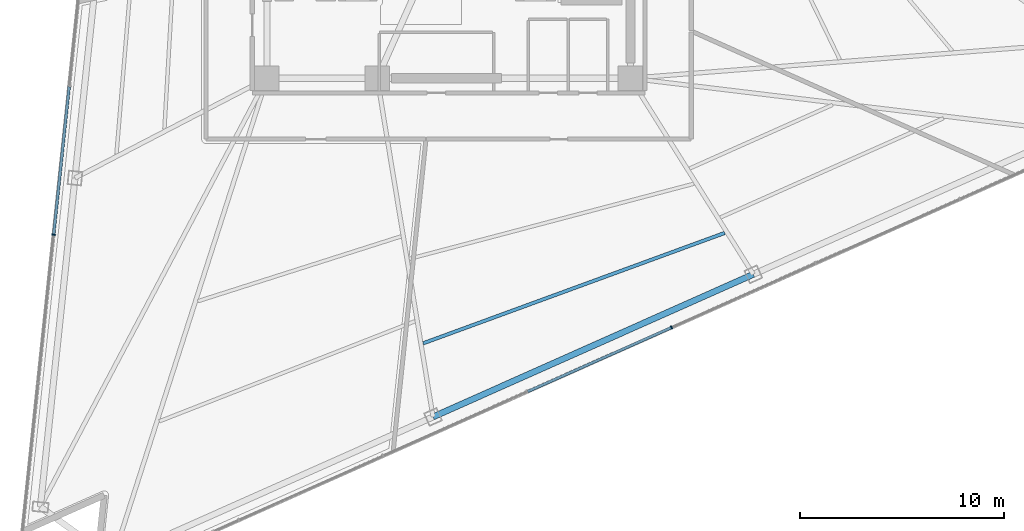
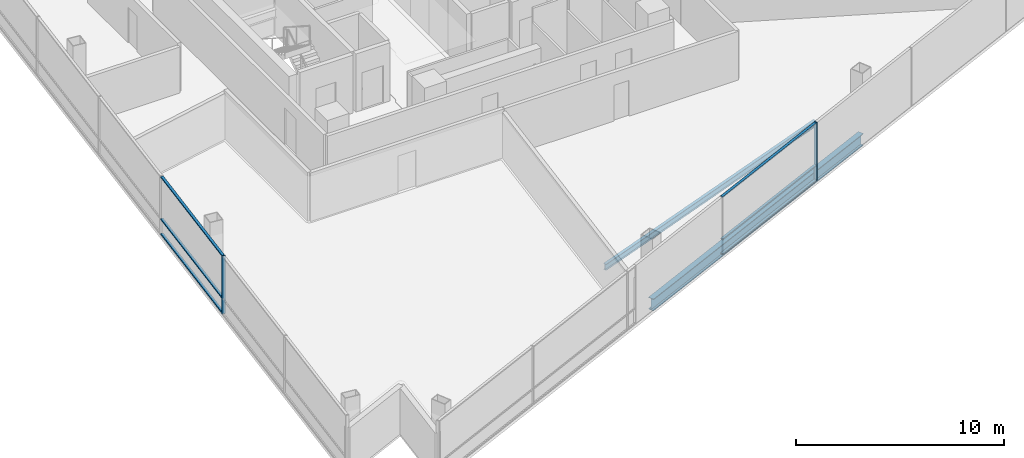
# One storey, part 3 of 16: 8 members, 2 beams, 2 elements without a shape of their own.
"""IFC4 building model written with IfcOpenShell, lengths in metres."""

from ifc_helpers import new_model, si_unit, direction, frame, origin, origin_2d, place, context, subcontext, project, spatial, rectangle, i_section, extrude, material, layer, layer_set, material_profile, profile_set, type_object, element, aggregate, save


model = new_model("IFC4")

# Units and contexts
model_context = context("Model", 3, precision=1e-05, world=origin(), true_north=direction((0.0, 1.0)))
body_context = subcontext(model_context, "Body", "Model", "MODEL_VIEW")
ifc_project = project(units=[si_unit("LENGTHUNIT", "METRE"), si_unit("AREAUNIT", "SQUARE_METRE"), si_unit("VOLUMEUNIT", "CUBIC_METRE"), si_unit("PLANEANGLEUNIT", "RADIAN"), si_unit("MASSUNIT", "GRAM", prefix="KILO")], contexts=[model_context])

# Site, building, storey
site_placement = place(None, origin())
site = spatial("IfcSite", under=ifc_project, at=site_placement, CompositionType="ELEMENT")
building_placement = place(site_placement, origin())
building = spatial("IfcBuilding", under=site, at=building_placement, Name="Tharavind Bronze Gate", CompositionType="ELEMENT")
storey_placement = place(building_placement, frame((0.0, 0.0, 130.449951171875)))
storey = spatial("IfcBuildingStorey", under=building, at=storey_placement, Name="L33", CompositionType="ELEMENT", Elevation=130.449951171875)

# Curtain wall, member
ifc_material_1 = material(Name="Anodised Bronze Aluminium", Category="aluminium")
ifc_layer = layer(ifc_material_1, 0.219970703125)
ifc_layer_set = layer_set([ifc_layer], Name="Anodised Bronze Aluminium")
curtain_wall_type = type_object("IfcCurtainWallType", Name="UNITISED CURTAIN WALL LOWER OFFICE", PredefinedType="USERDEFINED", material=ifc_layer_set)
curtain_wall_1_placement = place(storey_placement, origin())
curtain_wall_1 = element("IfcCurtainWall", 1, at=curtain_wall_1_placement, inside=storey, type_object=curtain_wall_type, Name="L33 unitised curtain wall lower office CW-L33-S1", ObjectType="UNITISED CURTAIN WALL", PredefinedType="USERDEFINED")
member_type_1 = type_object("IfcMemberType", Name="CURTAIN WALL BRONZE MULLION 65X180", PredefinedType="MULLION", material=ifc_material_1)
member_1_placement = place(storey_placement, frame((-19.349853515625, -15.2646484375, 0.0), z_axis=(0.0, 0.0, 1.0), x_axis=(-0.104526727499, -0.994522077803, 0.0)))
member_1 = element("IfcMember", 2, at=member_1_placement, type_object=member_type_1, Name="CW-L33-S1 mullion 6", PredefinedType="MULLION", context=body_context, shape_type="SweptSolid", body=[
    extrude(rectangle(XDim=0.06494140625, YDim=0.179931640625, at=origin_2d()), origin(), (0.0, 0.0, 1.0), 3.409912109375),
])

curtain_wall_2_placement = place(storey_placement, origin())
curtain_wall_2 = element("IfcCurtainWall", 3, at=curtain_wall_2_placement, inside=storey, type_object=curtain_wall_type, Name="L33 unitised curtain wall lower office CW-L33-S2", ObjectType="UNITISED CURTAIN WALL", PredefinedType="USERDEFINED")
member_2_placement = place(storey_placement, frame((10.913330078125, -19.80859375, 0.0), z_axis=(0.0, 0.0, 1.0), x_axis=(0.913545457643, 0.406736643076, 0.0)))
member_2 = element("IfcMember", 4, at=member_2_placement, type_object=member_type_1, Name="CW-L33-S2 mullion 5", PredefinedType="MULLION", context=body_context, shape_type="SweptSolid", body=[
    extrude(rectangle(XDim=0.06494140625, YDim=0.179931640625, at=origin_2d()), origin(), (0.0, 0.0, 1.0), 3.409912109375),
])

# Member
member_type_2 = type_object("IfcMemberType", Name="CURTAIN WALL BRONZE TRANSOM 65X140", PredefinedType="USERDEFINED", material=ifc_material_1)
member_3_placement = place(storey_placement, frame((-18.967529296875, -11.628173828125, 0.0), z_axis=(0.0, 0.0, 1.0), x_axis=(-0.104526727499, -0.994522077803, 0.0)))
member_3 = element("IfcMember", 5, at=member_3_placement, type_object=member_type_2, Name="CW-L33-S1 transom TB5", ObjectType="TRANSOM", PredefinedType="USERDEFINED", context=body_context, shape_type="SweptSolid", body=[
    extrude(rectangle(XDim=7.26025390625, YDim=0.139892578125, at=origin_2d()), origin(), (0.0, 0.0, 1.0), 0.06494140625),
])

member_4_placement = place(storey_placement, frame((-18.967529296875, -11.628173828125, 0.86767578125), z_axis=(0.0, 0.0, 1.0), x_axis=(-0.104526727499, -0.994522077803, 0.0)))
member_4 = element("IfcMember", 6, at=member_4_placement, type_object=member_type_2, Name="CW-L33-S1 transom TS5", ObjectType="TRANSOM", PredefinedType="USERDEFINED", context=body_context, shape_type="SweptSolid", body=[
    extrude(rectangle(XDim=7.26025390625, YDim=0.139892578125, at=origin_2d()), origin(), (0.0, 0.0, 1.0), 0.06494140625),
])

member_5_placement = place(storey_placement, frame((-18.967529296875, -11.628173828125, 3.344970703125), z_axis=(0.0, 0.0, 1.0), x_axis=(-0.104526727499, -0.994522077803, 0.0)))
member_5 = element("IfcMember", 7, at=member_5_placement, type_object=member_type_2, Name="CW-L33-S1 transom TT5", ObjectType="TRANSOM", PredefinedType="USERDEFINED", context=body_context, shape_type="SweptSolid", body=[
    extrude(rectangle(XDim=7.26025390625, YDim=0.139892578125, at=origin_2d()), origin(), (0.0, 0.0, 1.0), 0.06494140625),
])

aggregate(curtain_wall_1, [member_1, member_3, member_4, member_5])

member_6_placement = place(storey_placement, frame((7.38232421875, -21.380859375, 0.0), z_axis=(0.0, 0.0, 1.0), x_axis=(0.913545457643, 0.406736643076, 0.0)))
member_6 = element("IfcMember", 8, at=member_6_placement, type_object=member_type_2, Name="CW-L33-S2 transom TB4", ObjectType="TRANSOM", PredefinedType="USERDEFINED", context=body_context, shape_type="SweptSolid", body=[
    extrude(rectangle(XDim=7.677490234375, YDim=0.139892578125, at=origin_2d()), origin(), (0.0, 0.0, 1.0), 0.06494140625),
])

member_7_placement = place(storey_placement, frame((7.38232421875, -21.380859375, 0.86767578125), z_axis=(0.0, 0.0, 1.0), x_axis=(0.913545457643, 0.406736643076, 0.0)))
member_7 = element("IfcMember", 9, at=member_7_placement, type_object=member_type_2, Name="CW-L33-S2 transom TS4", ObjectType="TRANSOM", PredefinedType="USERDEFINED", context=body_context, shape_type="SweptSolid", body=[
    extrude(rectangle(XDim=7.677490234375, YDim=0.139892578125, at=origin_2d()), origin(), (0.0, 0.0, 1.0), 0.06494140625),
])

member_8_placement = place(storey_placement, frame((7.38232421875, -21.380859375, 3.344970703125), z_axis=(0.0, 0.0, 1.0), x_axis=(0.913545457643, 0.406736643076, 0.0)))
member_8 = element("IfcMember", 10, at=member_8_placement, type_object=member_type_2, Name="CW-L33-S2 transom TT4", ObjectType="TRANSOM", PredefinedType="USERDEFINED", context=body_context, shape_type="SweptSolid", body=[
    extrude(rectangle(XDim=7.677490234375, YDim=0.139892578125, at=origin_2d()), origin(), (0.0, 0.0, 1.0), 0.06494140625),
])

aggregate(curtain_wall_2, [member_2, member_6, member_7, member_8])

# Beams
ifc_material_2 = material(Name="Steel S355", Category="steel")
ifc_material_profile_1 = material_profile(ifc_material_2, i_section(OverallWidth=0.300048828125, OverallDepth=0.699951171875, WebThickness=0.01708984375, FlangeThickness=0.031982421875, at=origin_2d()), Name="HE700B")
ifc_profile_set_1 = profile_set([ifc_material_profile_1], Name="Steel S355")
beam_type_1 = type_object("IfcBeamType", Name="RING GIRDER HE700B", PredefinedType="USERDEFINED", material=ifc_profile_set_1)
beam_1_placement = place(storey_placement, frame((-0.766357421875, -24.18798828125, -0.5400390625), z_axis=(0.913546351362, 0.406734635744, 0.0), x_axis=(-0.406734635744, 0.913546351362, 0.0)))
element("IfcBeam", 11, at=beam_1_placement, inside=storey, type_object=beam_type_1, Name="L33 ring girder he700b BM-L33-PRG06", ObjectType="GIRDER", PredefinedType="USERDEFINED", context=body_context, shape_type="SweptSolid", body=[
    extrude(i_section(OverallWidth=0.300048828125, OverallDepth=0.699951171875, WebThickness=0.01708984375, FlangeThickness=0.031982421875, at=origin_2d()), origin(), (0.0, 0.0, 1.0), 17.171875),
])
ifc_material_profile_2 = material_profile(ifc_material_2, i_section(OverallWidth=0.169921875, OverallDepth=0.360107421875, WebThickness=0.008056640625, FlangeThickness=0.0126953125, at=origin_2d()), Name="IPE360")
ifc_profile_set_2 = profile_set([ifc_material_profile_2], Name="Steel S355")
beam_type_2 = type_object("IfcBeamType", Name="SECONDARY FLOOR JOIST IPE360", PredefinedType="JOIST", material=ifc_profile_set_2)
beam_2_placement = place(storey_placement, frame((-1.25, -20.58349609375, -0.369873046875), z_axis=(0.939077650043, 0.343705058428, 0.0), x_axis=(-0.343705058428, 0.939077650043, 0.0)))
element("IfcBeam", 12, at=beam_2_placement, inside=storey, type_object=beam_type_2, Name="L33 secondary floor joist ipe360 BM-L33-JSTB06", PredefinedType="JOIST", context=body_context, shape_type="SweptSolid", body=[
    extrude(i_section(OverallWidth=0.169921875, OverallDepth=0.360107421875, WebThickness=0.008056640625, FlangeThickness=0.0126953125, at=origin_2d()), origin(), (0.0, 0.0, 1.0), 15.72998046875),
])

save(model, "model.ifc")
